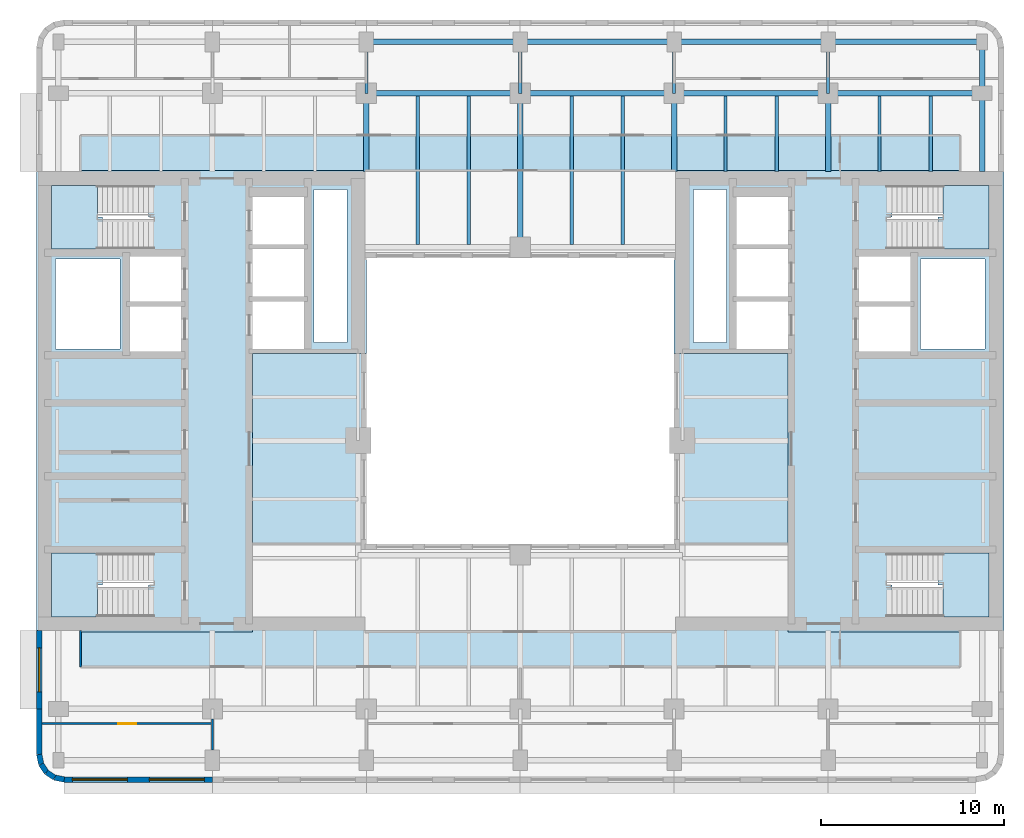
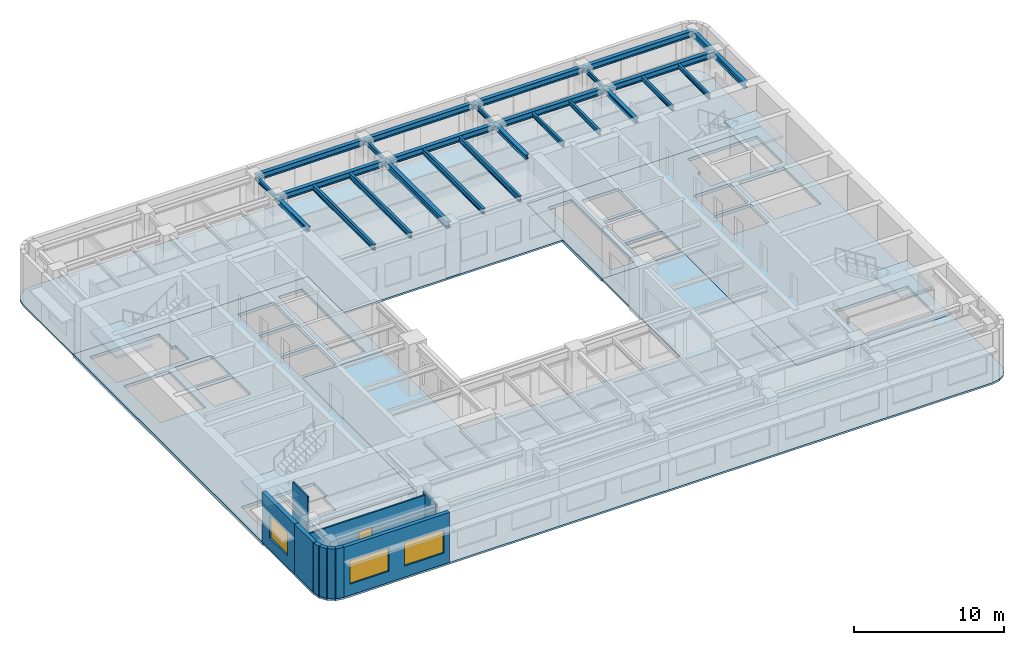
# One storey, part 2 of 11: 26 beams, 10 walls, 8 slabs, 3 windows, 1 door, 4 openings, 4 elements without a shape of their own.
"""IFC4 building model written with IfcOpenShell, lengths in metres."""

from ifc_helpers import new_model, si_unit, direction, frame, frame_2d, origin, origin_2d, place, context, subcontext, project, spatial, polyline, rectangle, i_section, outline, extrude, material, layer, layer_set, material_profile, profile_set, type_object, element, fill, aggregate, save


model = new_model("IFC4")

# Units and contexts
model_context = context("Model", 3, precision=1e-05, world=origin(), true_north=direction((0.0, 1.0)))
body_context = subcontext(model_context, "Body", "Model", "MODEL_VIEW")
ifc_project = project(units=[si_unit("LENGTHUNIT", "METRE"), si_unit("AREAUNIT", "SQUARE_METRE"), si_unit("VOLUMEUNIT", "CUBIC_METRE"), si_unit("PLANEANGLEUNIT", "RADIAN"), si_unit("MASSUNIT", "GRAM", prefix="KILO")], contexts=[model_context])

# Site, building, storey
site_placement = place(None, origin())
site = spatial("IfcSite", under=ifc_project, at=site_placement, CompositionType="ELEMENT")
building_placement = place(site_placement, origin())
building = spatial("IfcBuilding", under=site, at=building_placement, Name="Claustro Exchange Tower", CompositionType="ELEMENT")
storey_placement = place(building_placement, frame((0.0, 0.0, 190.199951171875)))
storey = spatial("IfcBuildingStorey", under=building, at=storey_placement, Name="L43", CompositionType="ELEMENT", Elevation=190.199951171875)

# Beams
ifc_material_1 = material(Name="Steel S355", Category="steel")
ifc_material_profile_1 = material_profile(ifc_material_1, i_section(OverallWidth=0.169921875, OverallDepth=0.360107421875, WebThickness=0.008056640625, FlangeThickness=0.0126953125, FilletRadius=0.01806640625, at=origin_2d()), Name="IPE 360")
ifc_profile_set_1 = profile_set([ifc_material_profile_1], Name="Steel S355")
beam_type_1 = type_object("IfcBeamType", Name="B16 IPE 360 short-span beam", PredefinedType="BEAM", material=ifc_profile_set_1)
for number, where, z_axis, x_axis, name in (
    (1, (16.800048828125, 42.0, 3.8701171875), (0.0, 1.0, 0.0), (-1.0, 0.0, 0.0), "Beam B16 L44"),
    (2, (25.199951171875, 42.0, 3.8701171875), (0.0, 1.0, 0.0), (-1.0, 0.0, 0.0), "Beam B16 L44"),
    (3, (33.60009765625, 42.0, 3.8701171875), (0.0, 1.0, 0.0), (-1.0, 0.0, 0.0), "Beam B16 L44"),
    (4, (42.0, 42.0, 3.8701171875), (0.0, 1.0, 0.0), (-1.0, 0.0, 0.0), "Beam B16 L44"),
):
    element("IfcBeam", number, at=place(storey_placement, frame(where, z_axis=z_axis, x_axis=x_axis)), inside=storey, type_object=beam_type_1, Name=name, PredefinedType="BEAM", context=body_context, shape_type="SweptSolid", body=[
        extrude(i_section(OverallWidth=0.169921875, OverallDepth=0.360107421875, WebThickness=0.008056640625, FlangeThickness=0.0126953125, FilletRadius=0.01806640625, at=origin_2d()), origin(), (0.0, 0.0, 1.0), 2.800048828125),
    ])
for number, where, z_axis, x_axis, name in (
    (5, (36.39990234375, 37.72509765625, 3.8701171875), (0.0, 1.0, 0.0), (-1.0, 0.0, 0.0), "Beam B16 L44"),
    (6, (39.199951171875, 37.72509765625, 3.8701171875), (0.0, 1.0, 0.0), (-1.0, 0.0, 0.0), "Beam B16 L44"),
    (7, (44.800048828125, 37.72509765625, 3.8701171875), (0.0, 1.0, 0.0), (-1.0, 0.0, 0.0), "Beam B16 L44"),
    (8, (47.60009765625, 37.72509765625, 3.8701171875), (0.0, 1.0, 0.0), (-1.0, 0.0, 0.0), "Beam B16 L44"),
):
    element("IfcBeam", number, at=place(storey_placement, frame(where, z_axis=z_axis, x_axis=x_axis)), inside=storey, type_object=beam_type_1, Name=name, PredefinedType="BEAM", context=body_context, shape_type="SweptSolid", body=[
        extrude(i_section(OverallWidth=0.169921875, OverallDepth=0.360107421875, WebThickness=0.008056640625, FlangeThickness=0.0126953125, FilletRadius=0.01806640625, at=origin_2d()), origin(), (0.0, 0.0, 1.0), 4.125),
    ])
ifc_material_2 = material(Name="Steel S355", Category="steel")
ifc_material_profile_2 = material_profile(ifc_material_2, i_section(OverallWidth=0.300048828125, OverallDepth=0.360107421875, WebThickness=0.012451171875, FlangeThickness=0.0224609375, FilletRadius=0.027099609375, at=origin_2d()), Name="HE 360 B")
ifc_profile_set_2 = profile_set([ifc_material_profile_2], Name="Steel S355")
beam_type_2 = type_object("IfcBeamType", Name="B29 HE 360 B column to core link beam", PredefinedType="BEAM", material=ifc_profile_set_2)
for number, where, z_axis, x_axis, name in (
    (9, (16.800048828125, 37.72509765625, 3.8701171875), (0.0, 1.0, 0.0), (-1.0, 0.0, 0.0), "Beam B29 L44"),
    (10, (33.60009765625, 37.72509765625, 3.8701171875), (0.0, 1.0, 0.0), (-1.0, 0.0, 0.0), "Beam B29 L44"),
    (11, (42.0, 37.72509765625, 3.8701171875), (0.0, 1.0, 0.0), (-1.0, 0.0, 0.0), "Beam B29 L44"),
):
    element("IfcBeam", number, at=place(storey_placement, frame(where, z_axis=z_axis, x_axis=x_axis)), inside=storey, type_object=beam_type_2, Name=name, PredefinedType="BEAM", context=body_context, shape_type="SweptSolid", body=[
        extrude(i_section(OverallWidth=0.300048828125, OverallDepth=0.360107421875, WebThickness=0.012451171875, FlangeThickness=0.0224609375, FilletRadius=0.027099609375, at=origin_2d()), origin(), (0.0, 0.0, 1.0), 4.27490234375),
    ])
ifc_material_3 = material(Name="Steel S355", Category="steel")
ifc_material_profile_3 = material_profile(ifc_material_3, i_section(OverallWidth=0.300048828125, OverallDepth=0.5, WebThickness=0.014404296875, FlangeThickness=0.028076171875, FilletRadius=0.027099609375, at=origin_2d()), Name="HE 500 B")
ifc_profile_set_3 = profile_set([ifc_material_profile_3], Name="Steel S355")
beam_type_3 = type_object("IfcBeamType", Name="B7 HE 500 B floor girder", PredefinedType="BEAM", material=ifc_profile_set_3)
for number, where, z_axis, x_axis, name in (
    (12, (25.199951171875, 33.60009765625, 3.800048828125), (0.0, 1.0, 0.0), (-1.0, 0.0, 0.0), "Beam B7 L44"),
    (13, (16.800048828125, 42.0, 3.800048828125), (1.0, 0.0, 0.0), (0.0, 1.0, 0.0), "Beam B7 L44"),
):
    element("IfcBeam", number, at=place(storey_placement, frame(where, z_axis=z_axis, x_axis=x_axis)), inside=storey, type_object=beam_type_3, Name=name, PredefinedType="BEAM", context=body_context, shape_type="SweptSolid", body=[
        extrude(i_section(OverallWidth=0.300048828125, OverallDepth=0.5, WebThickness=0.014404296875, FlangeThickness=0.028076171875, FilletRadius=0.027099609375, at=origin_2d()), origin(), (0.0, 0.0, 1.0), 8.39990234375),
    ])
beam_1_placement = place(storey_placement, frame((25.199951171875, 42.0, 3.800048828125), z_axis=(1.0, 0.0, 0.0), x_axis=(0.0, 1.0, 0.0)))
element("IfcBeam", 14, at=beam_1_placement, inside=storey, type_object=beam_type_3, Name="Beam B7 L44", PredefinedType="BEAM", context=body_context, shape_type="SweptSolid", body=[
    extrude(i_section(OverallWidth=0.300048828125, OverallDepth=0.5, WebThickness=0.014404296875, FlangeThickness=0.028076171875, FilletRadius=0.027099609375, at=origin_2d()), origin(), (0.0, 0.0, 1.0), 8.400146484375),
])
for number, where, z_axis, x_axis, name in (
    (15, (33.60009765625, 42.0, 3.800048828125), (1.0, 0.0, 0.0), (0.0, 1.0, 0.0), "Beam B7 L44"),
    (16, (42.0, 42.0, 3.800048828125), (1.0, 0.0, 0.0), (0.0, 1.0, 0.0), "Beam B7 L44"),
):
    element("IfcBeam", number, at=place(storey_placement, frame(where, z_axis=z_axis, x_axis=x_axis)), inside=storey, type_object=beam_type_3, Name=name, PredefinedType="BEAM", context=body_context, shape_type="SweptSolid", body=[
        extrude(i_section(OverallWidth=0.300048828125, OverallDepth=0.5, WebThickness=0.014404296875, FlangeThickness=0.028076171875, FilletRadius=0.027099609375, at=origin_2d()), origin(), (0.0, 0.0, 1.0), 8.39990234375),
    ])
ifc_material_4 = material(Name="Steel S355", Category="steel")
ifc_material_profile_4 = material_profile(ifc_material_4, i_section(OverallWidth=0.18994140625, OverallDepth=0.449951171875, WebThickness=0.009521484375, FlangeThickness=0.0146484375, FilletRadius=0.02099609375, at=origin_2d()), Name="IPE 450")
ifc_profile_set_4 = profile_set([ifc_material_profile_4], Name="Steel S355")
beam_type_4 = type_object("IfcBeamType", Name="B8 IPE 450 secondary beam", PredefinedType="BEAM", material=ifc_profile_set_4)
for number, where, z_axis, x_axis, name in (
    (17, (19.60009765625, 33.75, 3.824951171875), (0.0, 1.0, 0.0), (-1.0, 0.0, 0.0), "Beam B8 L44"),
    (18, (22.39990234375, 33.75, 3.824951171875), (0.0, 1.0, 0.0), (-1.0, 0.0, 0.0), "Beam B8 L44"),
    (19, (28.0, 33.75, 3.824951171875), (0.0, 1.0, 0.0), (-1.0, 0.0, 0.0), "Beam B8 L44"),
    (20, (30.800048828125, 33.75, 3.824951171875), (0.0, 1.0, 0.0), (-1.0, 0.0, 0.0), "Beam B8 L44"),
):
    element("IfcBeam", number, at=place(storey_placement, frame(where, z_axis=z_axis, x_axis=x_axis)), inside=storey, type_object=beam_type_4, Name=name, PredefinedType="BEAM", context=body_context, shape_type="SweptSolid", body=[
        extrude(i_section(OverallWidth=0.18994140625, OverallDepth=0.449951171875, WebThickness=0.009521484375, FlangeThickness=0.0146484375, FilletRadius=0.02099609375, at=origin_2d()), origin(), (0.0, 0.0, 1.0), 8.10009765625),
    ])
ifc_material_5 = material(Name="Steel S355", Category="steel")
ifc_material_profile_5 = material_profile(ifc_material_5, i_section(OverallWidth=0.300048828125, OverallDepth=0.489990234375, WebThickness=0.011962890625, FlangeThickness=0.02294921875, FilletRadius=0.027099609375, at=origin_2d()), Name="HE 500 A")
ifc_profile_set_5 = profile_set([ifc_material_profile_5], Name="Steel S355")
beam_type_5 = type_object("IfcBeamType", Name="B9 HE 500 A spandrel edge girder", PredefinedType="SPANDREL", material=ifc_profile_set_5)
beam_2_placement = place(storey_placement, frame((50.39990234375, 37.72509765625, 3.804931640625), z_axis=(0.0, 1.0, 0.0), x_axis=(-1.0, 0.0, 0.0)))
element("IfcBeam", 21, at=beam_2_placement, inside=storey, type_object=beam_type_5, Name="Beam B9 L44", PredefinedType="SPANDREL", context=body_context, shape_type="SweptSolid", body=[
    extrude(i_section(OverallWidth=0.300048828125, OverallDepth=0.489990234375, WebThickness=0.011962890625, FlangeThickness=0.02294921875, FilletRadius=0.027099609375, at=origin_2d()), origin(), (0.0, 0.0, 1.0), 4.27490234375),
])
beam_3_placement = place(storey_placement, frame((50.39990234375, 42.0, 3.804931640625), z_axis=(0.0, 1.0, 0.0), x_axis=(-1.0, 0.0, 0.0)))
element("IfcBeam", 22, at=beam_3_placement, inside=storey, type_object=beam_type_5, Name="Beam B9 L44", PredefinedType="SPANDREL", context=body_context, shape_type="SweptSolid", body=[
    extrude(i_section(OverallWidth=0.300048828125, OverallDepth=0.489990234375, WebThickness=0.011962890625, FlangeThickness=0.02294921875, FilletRadius=0.027099609375, at=origin_2d()), origin(), (0.0, 0.0, 1.0), 2.800048828125),
])
beam_4_placement = place(storey_placement, frame((16.800048828125, 44.800048828125, 3.804931640625), z_axis=(1.0, 0.0, 0.0), x_axis=(0.0, 1.0, 0.0)))
element("IfcBeam", 23, at=beam_4_placement, inside=storey, type_object=beam_type_5, Name="Beam B9 L44", PredefinedType="SPANDREL", context=body_context, shape_type="SweptSolid", body=[
    extrude(i_section(OverallWidth=0.300048828125, OverallDepth=0.489990234375, WebThickness=0.011962890625, FlangeThickness=0.02294921875, FilletRadius=0.027099609375, at=origin_2d()), origin(), (0.0, 0.0, 1.0), 8.39990234375),
])
beam_5_placement = place(storey_placement, frame((25.199951171875, 44.800048828125, 3.804931640625), z_axis=(1.0, 0.0, 0.0), x_axis=(0.0, 1.0, 0.0)))
element("IfcBeam", 24, at=beam_5_placement, inside=storey, type_object=beam_type_5, Name="Beam B9 L44", PredefinedType="SPANDREL", context=body_context, shape_type="SweptSolid", body=[
    extrude(i_section(OverallWidth=0.300048828125, OverallDepth=0.489990234375, WebThickness=0.011962890625, FlangeThickness=0.02294921875, FilletRadius=0.027099609375, at=origin_2d()), origin(), (0.0, 0.0, 1.0), 8.400146484375),
])
for number, where, z_axis, x_axis, name in (
    (25, (33.60009765625, 44.800048828125, 3.804931640625), (1.0, 0.0, 0.0), (0.0, 1.0, 0.0), "Beam B9 L44"),
    (26, (42.0, 44.800048828125, 3.804931640625), (1.0, 0.0, 0.0), (0.0, 1.0, 0.0), "Beam B9 L44"),
):
    element("IfcBeam", number, at=place(storey_placement, frame(where, z_axis=z_axis, x_axis=x_axis)), inside=storey, type_object=beam_type_5, Name=name, PredefinedType="SPANDREL", context=body_context, shape_type="SweptSolid", body=[
        extrude(i_section(OverallWidth=0.300048828125, OverallDepth=0.489990234375, WebThickness=0.011962890625, FlangeThickness=0.02294921875, FilletRadius=0.027099609375, at=origin_2d()), origin(), (0.0, 0.0, 1.0), 8.39990234375),
    ])

# Slabs
ifc_material_6 = material(Name="Concrete HA-50 (C50/60)", Category="concrete")
ifc_layer_1 = layer(ifc_material_6, 0.14990234375)
ifc_layer_set_1 = layer_set([ifc_layer_1], Name="Concrete HA-50 (C50/60)")
slab_type_1 = type_object("IfcSlabType", Name="S2 150 composite floor slab", PredefinedType="FLOOR", material=ifc_layer_set_1)
slab_1_placement = place(storey_placement, frame((0.0, 0.0, -0.14990234375)))
element("IfcSlab", 27, at=slab_1_placement, inside=storey, type_object=slab_type_1, Name="Floor slab S2 S L43", PredefinedType="FLOOR", context=body_context, shape_type="SweptSolid", body=[
    extrude(outline(polyline([(-0.27392578125, 4.51416015625), (0.300048828125, 4.39990234375), (50.10009765625, 4.39990234375), (50.674072265625, 4.51416015625), (51.16064453125, 4.83935546875), (51.48583984375, 5.325927734375), (51.60009765625, 5.89990234375), (51.60009765625, 12.60009765625), (39.800048828125, 12.60009765625), (39.800048828125, 27.800048828125), (33.60009765625, 27.800048828125), (33.60009765625, 17.39990234375), (16.800048828125, 17.39990234375), (16.800048828125, 27.800048828125), (10.60009765625, 27.800048828125), (10.60009765625, 12.60009765625), (-1.199951171875, 12.60009765625), (-1.199951171875, 5.89990234375), (-1.085693359375, 5.325927734375), (-0.7607421875, 4.83935546875), (-0.27392578125, 4.51416015625)])), origin(), (0.0, 0.0, 1.0), 0.14990234375),
])
slab_2_placement = place(storey_placement, frame((0.0, 0.0, -0.14990234375)))
element("IfcSlab", 28, at=slab_2_placement, inside=storey, type_object=slab_type_1, Name="Floor slab S2 N L43", PredefinedType="FLOOR", context=body_context, shape_type="SweptSolid", body=[
    extrude(outline(polyline([(16.800048828125, 37.800048828125), (16.800048828125, 33.0), (33.60009765625, 33.0), (33.60009765625, 37.800048828125), (51.60009765625, 37.800048828125), (51.60009765625, 44.5), (51.48583984375, 45.073974609375), (51.16064453125, 45.560791015625), (50.674072265625, 45.8857421875), (50.10009765625, 46.0), (0.300048828125, 46.0), (-0.27392578125, 45.8857421875), (-0.7607421875, 45.560791015625), (-1.085693359375, 45.073974609375), (-1.199951171875, 44.5), (-1.199951171875, 37.800048828125), (16.800048828125, 37.800048828125)])), origin(), (0.0, 0.0, 1.0), 0.14990234375),
])
ifc_material_7 = material(Name="Concrete HA-50 (C50/60)", Category="concrete")
ifc_layer_2 = layer(ifc_material_7, 0.25)
ifc_layer_set_2 = layer_set([ifc_layer_2], Name="Concrete HA-50 (C50/60)")
slab_type_2 = type_object("IfcSlabType", Name="S7 250 core floor slab", PredefinedType="FLOOR", material=ifc_layer_set_2)
slab_3_placement = place(storey_placement, frame((0.0, 0.0, -0.25)))
element("IfcSlab", 29, at=slab_3_placement, inside=storey, type_object=slab_type_2, Name="Core floor slab S7 W core L43", PredefinedType="FLOOR", context=body_context, shape_type="SweptSolid", body=[
    extrude(outline(polyline([(-1.199951171875, 37.800048828125), (-1.199951171875, 12.60009765625), (10.60009765625, 12.60009765625), (10.60009765625, 27.800048828125), (16.800048828125, 27.800048828125), (16.800048828125, 37.800048828125), (-1.199951171875, 37.800048828125)]), holes=[polyline([(13.949951171875, 36.75), (15.75, 36.75), (15.75, 28.39990234375), (13.949951171875, 28.39990234375), (13.949951171875, 36.75)]), polyline([(10.60009765625, 30.64990234375), (13.39990234375, 30.64990234375), (13.39990234375, 28.050048828125), (10.60009765625, 28.050048828125), (10.60009765625, 30.64990234375)]), polyline([(10.60009765625, 33.5), (13.39990234375, 33.5), (13.39990234375, 30.89990234375), (10.60009765625, 30.89990234375), (10.60009765625, 33.5)]), polyline([(13.39990234375, 36.35009765625), (13.39990234375, 33.75), (10.60009765625, 33.75), (10.60009765625, 36.35009765625), (13.39990234375, 36.35009765625)]), polyline([(3.89990234375, 30.375), (6.699951171875, 30.375), (6.699951171875, 27.89990234375), (3.89990234375, 27.89990234375), (3.89990234375, 30.375)]), polyline([(3.89990234375, 33.10009765625), (6.699951171875, 33.10009765625), (6.699951171875, 30.625), (3.89990234375, 30.625), (3.89990234375, 33.10009765625)]), polyline([(-0.375, 15.16259765625), (-0.375, 16.89990234375), (5.195068359375, 16.89990234375), (5.195068359375, 15.16259765625), (4.919921875, 15.16259765625), (4.919921875, 13.425048828125), (-0.375, 13.425048828125), (-0.375, 15.16259765625)]), polyline([(-0.375, 35.237548828125), (-0.375, 36.97509765625), (4.919921875, 36.97509765625), (4.919921875, 35.237548828125), (5.195068359375, 35.237548828125), (5.195068359375, 33.5), (-0.375, 33.5), (-0.375, 35.237548828125)]), polyline([(-0.14990234375, 32.949951171875), (3.35009765625, 32.949951171875), (3.35009765625, 28.050048828125), (-0.14990234375, 28.050048828125), (-0.14990234375, 32.949951171875)])]), origin(), (0.0, 0.0, 1.0), 0.25),
])
slab_4_placement = place(storey_placement, frame((0.0, 0.0, -0.25)))
element("IfcSlab", 30, at=slab_4_placement, inside=storey, type_object=slab_type_2, Name="Core floor slab S7 E core L43", PredefinedType="FLOOR", context=body_context, shape_type="SweptSolid", body=[
    extrude(outline(polyline([(51.60009765625, 37.800048828125), (33.60009765625, 37.800048828125), (33.60009765625, 27.800048828125), (39.800048828125, 27.800048828125), (39.800048828125, 12.60009765625), (51.60009765625, 12.60009765625), (51.60009765625, 37.800048828125)]), holes=[polyline([(45.47998046875, 15.16259765625), (45.205078125, 15.16259765625), (45.205078125, 16.89990234375), (50.77490234375, 16.89990234375), (50.77490234375, 15.16259765625), (50.77490234375, 13.425048828125), (45.47998046875, 13.425048828125), (45.47998046875, 15.16259765625)]), polyline([(45.47998046875, 35.237548828125), (45.47998046875, 36.97509765625), (50.77490234375, 36.97509765625), (50.77490234375, 35.237548828125), (50.77490234375, 33.5), (45.205078125, 33.5), (45.205078125, 35.237548828125), (45.47998046875, 35.237548828125)]), polyline([(47.050048828125, 32.949951171875), (50.550048828125, 32.949951171875), (50.550048828125, 28.050048828125), (47.050048828125, 28.050048828125), (47.050048828125, 32.949951171875)]), polyline([(43.699951171875, 30.375), (46.5, 30.375), (46.5, 27.89990234375), (43.699951171875, 27.89990234375), (43.699951171875, 30.375)]), polyline([(43.699951171875, 33.10009765625), (46.5, 33.10009765625), (46.5, 30.625), (43.699951171875, 30.625), (43.699951171875, 33.10009765625)]), polyline([(37.0, 30.64990234375), (39.800048828125, 30.64990234375), (39.800048828125, 28.050048828125), (37.0, 28.050048828125), (37.0, 30.64990234375)]), polyline([(37.0, 33.5), (39.800048828125, 33.5), (39.800048828125, 30.89990234375), (37.0, 30.89990234375), (37.0, 33.5)]), polyline([(39.800048828125, 36.35009765625), (39.800048828125, 33.75), (37.0, 33.75), (37.0, 36.35009765625), (39.800048828125, 36.35009765625)]), polyline([(34.64990234375, 36.75), (36.449951171875, 36.75), (36.449951171875, 28.39990234375), (34.64990234375, 28.39990234375), (34.64990234375, 36.75)])]), origin(), (0.0, 0.0, 1.0), 0.25),
])

# Stair, slab
ifc_material_8 = material(Name="Concrete HA-30 (C30/37), precast", Category="concrete")
stair_type = type_object("IfcStairType", Name="ST1 half-turn stair, 24 risers of 175", PredefinedType="HALF_TURN_STAIR", material=ifc_material_8)
stair_1_placement = place(storey_placement, origin())
stair_1 = element("IfcStair", 31, at=stair_1_placement, inside=storey, type_object=stair_type, Name="Stair STWA L43", PredefinedType="HALF_TURN_STAIR")
ifc_material_9 = material(Name="Concrete HA-30 (C30/37), precast", Category="concrete")
ifc_layer_3 = layer(ifc_material_9, 0.199951171875)
ifc_layer_set_3 = layer_set([ifc_layer_3], Name="Concrete HA-30 (C30/37), precast")
slab_type_3 = type_object("IfcSlabType", Name="S9 200 stair landing", PredefinedType="LANDING", material=ifc_layer_set_3)
slab_5_placement = place(storey_placement, frame((0.0, 0.0, 1.900146484375)))
slab_5 = element("IfcSlab", 32, at=slab_5_placement, type_object=slab_type_3, Name="STWA landing 1", PredefinedType="LANDING", context=body_context, shape_type="SweptSolid", body=[
    extrude(outline(polyline([(2.125, 13.425048828125), (-0.375, 13.425048828125), (-0.375, 16.89990234375), (2.1201171875, 16.89990234375), (2.125, 16.89990234375), (2.39990234375, 16.89990234375), (2.39990234375, 15.16259765625), (2.125, 15.16259765625), (2.125, 13.425048828125)])), origin(), (0.0, 0.0, 1.0), 0.199951171875),
])
aggregate(stair_1, [slab_5])

stair_2_placement = place(storey_placement, origin())
stair_2 = element("IfcStair", 33, at=stair_2_placement, inside=storey, type_object=stair_type, Name="Stair STWB L43", PredefinedType="HALF_TURN_STAIR")
slab_6_placement = place(storey_placement, frame((0.0, 0.0, 1.900146484375)))
slab_6 = element("IfcSlab", 34, at=slab_6_placement, type_object=slab_type_3, Name="STWB landing 1", PredefinedType="LANDING", context=body_context, shape_type="SweptSolid", body=[
    extrude(outline(polyline([(2.39990234375, 35.237548828125), (2.39990234375, 33.5), (2.125, 33.5), (2.1201171875, 33.5), (-0.375, 33.5), (-0.375, 36.97509765625), (2.125, 36.97509765625), (2.125, 35.237548828125), (2.39990234375, 35.237548828125)])), origin(), (0.0, 0.0, 1.0), 0.199951171875),
])
aggregate(stair_2, [slab_6])

stair_3_placement = place(storey_placement, origin())
stair_3 = element("IfcStair", 35, at=stair_3_placement, inside=storey, type_object=stair_type, Name="Stair STEA L43", PredefinedType="HALF_TURN_STAIR")
slab_7_placement = place(storey_placement, frame((0.0, 0.0, 1.900146484375)))
slab_7 = element("IfcSlab", 36, at=slab_7_placement, type_object=slab_type_3, Name="STEA landing 1", PredefinedType="LANDING", context=body_context, shape_type="SweptSolid", body=[
    extrude(outline(polyline([(50.77490234375, 16.89990234375), (50.77490234375, 13.425048828125), (48.27490234375, 13.425048828125), (48.27490234375, 15.16259765625), (48.0, 15.16259765625), (48.0, 16.89990234375), (48.27490234375, 16.89990234375), (48.280029296875, 16.89990234375), (50.77490234375, 16.89990234375)])), origin(), (0.0, 0.0, 1.0), 0.199951171875),
])
aggregate(stair_3, [slab_7])

stair_4_placement = place(storey_placement, origin())
stair_4 = element("IfcStair", 37, at=stair_4_placement, inside=storey, type_object=stair_type, Name="Stair STEB L43", PredefinedType="HALF_TURN_STAIR")
slab_8_placement = place(storey_placement, frame((0.0, 0.0, 1.900146484375)))
slab_8 = element("IfcSlab", 38, at=slab_8_placement, type_object=slab_type_3, Name="STEB landing 1", PredefinedType="LANDING", context=body_context, shape_type="SweptSolid", body=[
    extrude(outline(polyline([(48.0, 33.5), (48.0, 35.237548828125), (48.27490234375, 35.237548828125), (48.27490234375, 36.97509765625), (50.77490234375, 36.97509765625), (50.77490234375, 33.5), (48.280029296875, 33.5), (48.27490234375, 33.5), (48.0, 33.5)])), origin(), (0.0, 0.0, 1.0), 0.199951171875),
])
aggregate(stair_4, [slab_8])

# Wall, opening, door
ifc_material_10 = material(Name="Laminated glass in aluminium frame", Category="aluminium")
ifc_layer_4 = layer(ifc_material_10, 0.1201171875)
ifc_layer_set_4 = layer_set([ifc_layer_4], Name="Laminated glass in aluminium frame")
wall_type_1 = type_object("IfcWallType", Name="P2 120 glazed partition", PredefinedType="PARTITIONING", material=ifc_layer_set_4)
wall_1_placement = place(storey_placement, frame((-0.902099609375, 7.60009765625, 0.0), z_axis=(0.0, 0.0, 1.0), x_axis=(1.0, 0.0, 0.0)))
wall_1 = element("IfcWall", 39, at=wall_1_placement, inside=storey, type_object=wall_type_1, Name="Partition P2 L43", PredefinedType="PARTITIONING", context=body_context, shape_type="SweptSolid", body=[
    extrude(rectangle(XDim=9.302001953125, YDim=0.1201171875, at=frame_2d((4.65087890625, 0.0))), origin(), (0.0, 0.0, 1.0), 3.56005859375),
])
opening_1_placement = place(wall_1_placement, frame((4.152099609375, 0.0, 0.0)))
opening_1 = element("IfcOpeningElement", 40, at=opening_1_placement, cuts=wall_1, Name="Opening D7", PredefinedType="OPENING", context=body_context, shape_type="SweptSolid", body=[
    extrude(rectangle(XDim=1.0, YDim=2.39990234375, at=frame_2d((0.5, 1.199951171875))), frame((0.0, 0.070068359375, 0.0), z_axis=(0.0, -1.0, 0.0), x_axis=(1.0, 0.0, 0.0)), (0.0, 0.0, 1.0), 0.14013671875),
])
ifc_material_11 = material(Name="Glass door in aluminium frame", Category="aluminium")
door_type = type_object("IfcDoorType", Name="D7 1000 x 2400 glazed door", OperationType="SINGLE_SWING_LEFT", PredefinedType="DOOR", material=ifc_material_11)
door_placement = place(opening_1_placement, frame((1.0, 0.0, 0.0), z_axis=(0.0, 0.0, 1.0), x_axis=(-1.0, 0.0, 0.0)))
door = element("IfcDoor", 41, at=door_placement, inside=storey, type_object=door_type, Name="Door D7 L43", OperationType="SINGLE_SWING_LEFT", OverallHeight=2.39990234375, OverallWidth=1.0, PredefinedType="DOOR", context=body_context, shape_type="SweptSolid", body=[
    extrude(rectangle(XDim=1.0, YDim=2.39990234375, at=frame_2d((0.5, 1.199951171875))), frame((0.0, 0.02490234375, 0.0), z_axis=(0.0, -1.0, 0.0), x_axis=(1.0, 0.0, 0.0)), (0.0, 0.0, 1.0), 0.050048828125),
])
fill(opening_1, door)

# Walls
wall_2_placement = place(storey_placement, frame((8.39990234375, 6.14892578125, 0.0), z_axis=(0.0, 0.0, 1.0), x_axis=(0.0, 1.0, 0.0)))
element("IfcWall", 42, at=wall_2_placement, inside=storey, type_object=wall_type_1, Name="Partition P2 L43", PredefinedType="PARTITIONING", context=body_context, shape_type="SweptSolid", body=[
    extrude(rectangle(XDim=1.703125, YDim=0.1201171875, at=frame_2d((0.8515625, 0.0))), origin(), (0.0, 0.0, 1.0), 3.68994140625),
])
wall_3_placement = place(storey_placement, frame((1.199951171875, 10.699951171875, 0.0), z_axis=(0.0, 0.0, 1.0), x_axis=(0.0, 1.0, 0.0)))
element("IfcWall", 43, at=wall_3_placement, inside=storey, type_object=wall_type_1, Name="Partition P2 L43", PredefinedType="PARTITIONING", context=body_context, shape_type="SweptSolid", body=[
    extrude(rectangle(XDim=1.97607421875, YDim=0.1201171875, at=frame_2d((0.988037109375, 0.0))), origin(), (0.0, 0.0, 1.0), 4.050048828125),
])

# Wall, openings, windows
ifc_material_12 = material(Name="Concrete HA-40 (C40/50), precast, white cement, acid-etched", Category="concrete")
ifc_layer_5 = layer(ifc_material_12, 0.300048828125)
ifc_layer_set_5 = layer_set([ifc_layer_5], Name="Concrete HA-40 (C40/50), precast, white cement, acid-etched")
wall_type_2 = type_object("IfcWallType", Name="PC1 300 precast concrete pier panel", PredefinedType="SOLIDWALL", material=ifc_layer_set_5)
wall_4_placement = place(storey_placement, frame((8.39990234375, 4.550048828125, 0.0), z_axis=(0.0, 0.0, 1.0), x_axis=(-1.0, 0.0, 0.0)))
wall_4 = element("IfcWall", 44, at=wall_4_placement, inside=storey, type_object=wall_type_2, Name="Precast pier panel PC1 L43", PredefinedType="SOLIDWALL", context=body_context, shape_type="SweptSolid", body=[
    extrude(rectangle(XDim=8.085205078125, YDim=0.300048828125, at=frame_2d((4.04248046875, 0.0))), origin(), (0.0, 0.0, 1.0), 4.050048828125),
])
opening_2_placement = place(wall_4_placement, frame((0.442626953125, 0.0, 0.89990234375)))
opening_2 = element("IfcOpeningElement", 45, at=opening_2_placement, cuts=wall_4, Name="Opening W1", PredefinedType="OPENING", context=body_context, shape_type="SweptSolid", body=[
    extrude(rectangle(XDim=3.0, YDim=1.89990234375, at=frame_2d((1.5, 0.949951171875))), frame((0.0, 0.159912109375, 0.0), z_axis=(0.0, -1.0, 0.0), x_axis=(1.0, 0.0, 0.0)), (0.0, 0.0, 1.0), 0.320068359375),
])
opening_3_placement = place(wall_4_placement, frame((4.642578125, 0.0, 0.89990234375)))
opening_3 = element("IfcOpeningElement", 46, at=opening_3_placement, cuts=wall_4, Name="Opening W1", PredefinedType="OPENING", context=body_context, shape_type="SweptSolid", body=[
    extrude(rectangle(XDim=3.0, YDim=1.89990234375, at=frame_2d((1.5, 0.949951171875))), frame((0.0, 0.159912109375, 0.0), z_axis=(0.0, -1.0, 0.0), x_axis=(1.0, 0.0, 0.0)), (0.0, 0.0, 1.0), 0.320068359375),
])
ifc_material_13 = material(Name="Aluminium frame, clear double glazing", Category="aluminium")
window_type_1 = type_object("IfcWindowType", Name="W1 3000 x 1900 window", PartitioningType="SINGLE_PANEL", PredefinedType="WINDOW", material=ifc_material_13)
window_1_placement = place(opening_2_placement, origin())
window_1 = element("IfcWindow", 47, at=window_1_placement, inside=storey, type_object=window_type_1, Name="Window W1 L43", OverallHeight=1.89990234375, OverallWidth=3.0, PartitioningType="SINGLE_PANEL", PredefinedType="WINDOW", context=body_context, shape_type="SweptSolid", body=[
    extrude(rectangle(XDim=3.0, YDim=1.89990234375, at=frame_2d((1.5, 0.949951171875))), frame((0.0, 0.030029296875, 0.0), z_axis=(0.0, -1.0, 0.0), x_axis=(1.0, 0.0, 0.0)), (0.0, 0.0, 1.0), 0.06005859375),
])
fill(opening_2, window_1)
window_2_placement = place(opening_3_placement, origin())
window_2 = element("IfcWindow", 48, at=window_2_placement, inside=storey, type_object=window_type_1, Name="Window W1 L43", OverallHeight=1.89990234375, OverallWidth=3.0, PartitioningType="SINGLE_PANEL", PredefinedType="WINDOW", context=body_context, shape_type="SweptSolid", body=[
    extrude(rectangle(XDim=3.0, YDim=1.89990234375, at=frame_2d((1.5, 0.949951171875))), frame((0.0, 0.030029296875, 0.0), z_axis=(0.0, -1.0, 0.0), x_axis=(1.0, 0.0, 0.0)), (0.0, 0.0, 1.0), 0.06005859375),
])
fill(opening_3, window_2)

# Walls
wall_5_placement = place(storey_placement, frame((0.314697265625, 4.550048828125, 0.0), z_axis=(0.0, 0.0, 1.0), x_axis=(-0.980788534345, 0.195073962632, 0.0)))
element("IfcWall", 49, at=wall_5_placement, inside=storey, type_object=wall_type_2, Name="Precast pier panel PC1 L43", PredefinedType="SOLIDWALL", context=body_context, shape_type="SweptSolid", body=[
    extrude(rectangle(XDim=0.540771484375, YDim=0.300048828125, at=frame_2d((0.2705078125, 0.0))), origin(), (0.0, 0.0, 1.0), 4.050048828125),
])
for number, where, z_axis, x_axis, name in (
    (50, (-0.215576171875, 4.655517578125, 0.0), (0.0, 0.0, 1.0), (-0.831478144188, 0.555557463938, 0.0), "Precast pier panel PC1 L43"),
    (51, (-0.652587890625, 4.947509765625, 0.0), (0.0, 0.0, 1.0), (-0.555557463938, 0.831478144188, 0.0), "Precast pier panel PC1 L43"),
):
    element("IfcWall", number, at=place(storey_placement, frame(where, z_axis=z_axis, x_axis=x_axis)), inside=storey, type_object=wall_type_2, Name=name, PredefinedType="SOLIDWALL", context=body_context, shape_type="SweptSolid", body=[
        extrude(rectangle(XDim=0.525634765625, YDim=0.300048828125, at=frame_2d((0.2626953125, 0.0))), origin(), (0.0, 0.0, 1.0), 4.050048828125),
    ])
wall_6_placement = place(storey_placement, frame((-0.944580078125, 5.384521484375, 0.0), z_axis=(0.0, 0.0, 1.0), x_axis=(-0.195073962632, 0.980788534345, 0.0)))
element("IfcWall", 52, at=wall_6_placement, inside=storey, type_object=wall_type_2, Name="Precast pier panel PC1 L43", PredefinedType="SOLIDWALL", context=body_context, shape_type="SweptSolid", body=[
    extrude(rectangle(XDim=0.540771484375, YDim=0.300048828125, at=frame_2d((0.2705078125, 0.0))), origin(), (0.0, 0.0, 1.0), 4.050048828125),
])
wall_7_placement = place(storey_placement, frame((-1.050048828125, 5.914794921875, 0.0), z_axis=(0.0, 0.0, 1.0), x_axis=(0.0, 1.0, 0.0)))
element("IfcWall", 53, at=wall_7_placement, inside=storey, type_object=wall_type_2, Name="Precast pier panel PC1 L43", PredefinedType="SOLIDWALL", context=body_context, shape_type="SweptSolid", body=[
    extrude(rectangle(XDim=2.485107421875, YDim=0.300048828125, at=frame_2d((1.24267578125, 0.0))), origin(), (0.0, 0.0, 1.0), 4.050048828125),
])

# Wall, opening, window
wall_8_placement = place(storey_placement, frame((-1.050048828125, 8.39990234375, 0.0), z_axis=(0.0, 0.0, 1.0), x_axis=(0.0, 1.0, 0.0)))
wall_8 = element("IfcWall", 54, at=wall_8_placement, inside=storey, type_object=wall_type_2, Name="Precast pier panel PC1 L43", PredefinedType="SOLIDWALL", context=body_context, shape_type="SweptSolid", body=[
    extrude(rectangle(XDim=4.275146484375, YDim=0.300048828125, at=frame_2d((2.1376953125, 0.0))), origin(), (0.0, 0.0, 1.0), 4.050048828125),
])
opening_4_placement = place(wall_8_placement, frame((0.9375, 0.0, 0.89990234375)))
opening_4 = element("IfcOpeningElement", 55, at=opening_4_placement, cuts=wall_8, Name="Opening W2", PredefinedType="OPENING", context=body_context, shape_type="SweptSolid", body=[
    extrude(rectangle(XDim=2.39990234375, YDim=1.89990234375, at=frame_2d((1.199951171875, 0.949951171875))), frame((0.0, 0.159912109375, 0.0), z_axis=(0.0, -1.0, 0.0), x_axis=(1.0, 0.0, 0.0)), (0.0, 0.0, 1.0), 0.320068359375),
])
ifc_material_14 = material(Name="Aluminium frame, clear double glazing", Category="aluminium")
window_type_2 = type_object("IfcWindowType", Name="W2 2400 x 1900 window", PartitioningType="SINGLE_PANEL", PredefinedType="WINDOW", material=ifc_material_14)
window_3_placement = place(opening_4_placement, origin())
window_3 = element("IfcWindow", 56, at=window_3_placement, inside=storey, type_object=window_type_2, Name="Window W2 L43", OverallHeight=1.89990234375, OverallWidth=2.39990234375, PartitioningType="SINGLE_PANEL", PredefinedType="WINDOW", context=body_context, shape_type="SweptSolid", body=[
    extrude(rectangle(XDim=2.39990234375, YDim=1.89990234375, at=frame_2d((1.199951171875, 0.949951171875))), frame((0.0, 0.030029296875, 0.0), z_axis=(0.0, -1.0, 0.0), x_axis=(1.0, 0.0, 0.0)), (0.0, 0.0, 1.0), 0.06005859375),
])
fill(opening_4, window_3)

save(model, "model.ifc")
